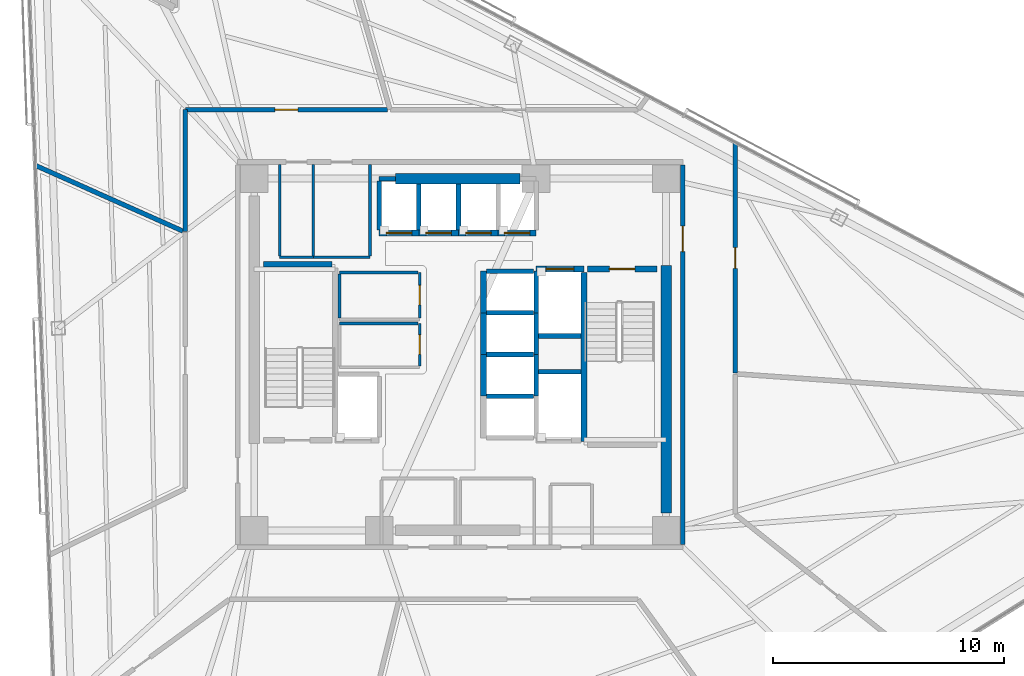
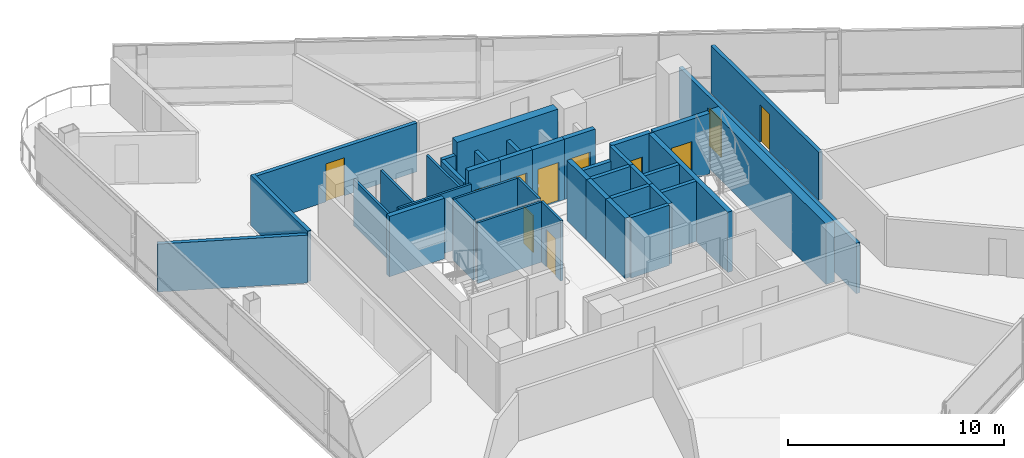
# One storey, part 13 of 21: 41 walls, 11 doors, 11 openings.
"""IFC4 building model written with IfcOpenShell, lengths in metres."""

from ifc_helpers import new_model, si_unit, direction, frame, frame_2d, origin, place, context, subcontext, project, spatial, rectangle, extrude, material, layer, layer_set, type_object, element, fill, save


model = new_model("IFC4")

# Units and contexts
model_context = context("Model", 3, precision=1e-05, world=origin(), true_north=direction((0.0, 1.0)))
body_context = subcontext(model_context, "Body", "Model", "MODEL_VIEW")
ifc_project = project(units=[si_unit("LENGTHUNIT", "METRE"), si_unit("AREAUNIT", "SQUARE_METRE"), si_unit("VOLUMEUNIT", "CUBIC_METRE"), si_unit("PLANEANGLEUNIT", "RADIAN"), si_unit("MASSUNIT", "GRAM", prefix="KILO")], contexts=[model_context])

# Site, building, storey
site_placement = place(None, origin())
site = spatial("IfcSite", under=ifc_project, at=site_placement, CompositionType="ELEMENT")
building_placement = place(site_placement, origin())
building = spatial("IfcBuilding", under=site, at=building_placement, Name="Tharavind Bronze Gate", CompositionType="ELEMENT")
storey_placement = place(building_placement, frame((0.0, 0.0, 156.800048828125)))
storey = spatial("IfcBuildingStorey", under=building, at=storey_placement, Name="L40", CompositionType="ELEMENT", Elevation=156.800048828125)

# Wall, opening, door
ifc_material_1 = material(Name="Aerated Concrete Block", Category="concrete")
ifc_layer_1 = layer(ifc_material_1, 0.199951171875)
ifc_layer_set_1 = layer_set([ifc_layer_1], Name="Aerated Concrete Block")
wall_type_1 = type_object("IfcWallType", Name="FIRE RATED PARTITION 200", PredefinedType="PARTITIONING", material=ifc_layer_set_1)
wall_1_placement = place(storey_placement, frame((9.6201171875, -8.199951171875, 0.0), z_axis=(0.0, 0.0, 1.0), x_axis=(0.0, 1.0, 0.0)))
wall_1 = element("IfcWall", 1, at=wall_1_placement, inside=storey, type_object=wall_type_1, Name="L40 east core corridor wall", PredefinedType="PARTITIONING", context=body_context, shape_type="SweptSolid", body=[
    extrude(rectangle(XDim=16.39990234375, YDim=0.199951171875, at=frame_2d((8.199951171875, 0.0))), origin(), (0.0, 0.0, 1.0), 2.85498046875),
])
opening_1_placement = place(wall_1_placement, frame((12.64990234375, 0.0, 0.0)))
opening_1 = element("IfcOpeningElement", 2, at=opening_1_placement, cuts=wall_1, Name="Opening ID01", PredefinedType="OPENING", context=body_context, shape_type="SweptSolid", body=[
    extrude(rectangle(XDim=1.10009765625, YDim=2.14990234375, at=frame_2d((0.550048828125, 1.074951171875))), frame((0.0, 0.11009765625, 0.0), z_axis=(0.0, -1.0, 0.0), x_axis=(1.0, 0.0, 0.0)), (0.0, 0.0, 1.0), 0.219951171875),
])
ifc_material_2 = material(Name="Fire-Rated Steel", Category="steel")
door_type_1 = type_object("IfcDoorType", Name="STAIR CORE FIRE DOOR 1100X2150", OperationType="SINGLE_SWING_LEFT", PredefinedType="DOOR", material=ifc_material_2)
door_1_placement = place(opening_1_placement, frame((1.10009765625, 0.0, 0.0), z_axis=(0.0, 0.0, 1.0), x_axis=(-1.0, 0.0, 0.0)))
door_1 = element("IfcDoor", 3, at=door_1_placement, inside=storey, type_object=door_type_1, Name="L40 north east stair lobby fire door", OperationType="SINGLE_SWING_LEFT", OverallHeight=2.14990234375, OverallWidth=1.10009765625, PredefinedType="DOOR", context=body_context, shape_type="SweptSolid", body=[
    extrude(rectangle(XDim=1.10009765625, YDim=2.14990234375, at=frame_2d((0.550048828125, 1.074951171875))), frame((0.0, 0.02490234375, 0.0), z_axis=(0.0, -1.0, 0.0), x_axis=(1.0, 0.0, 0.0)), (0.0, 0.0, 1.0), 0.050048828125),
])
fill(opening_1, door_1)

wall_2_placement = place(storey_placement, frame((-3.14306640625, 10.580078125, 0.0), z_axis=(0.0, 0.0, 1.0), x_axis=(-1.0, 0.0, 0.0)))
wall_2 = element("IfcWall", 4, at=wall_2_placement, inside=storey, type_object=wall_type_1, Name="L40 Bioinformatics Open Office partition", PredefinedType="PARTITIONING", context=body_context, shape_type="SweptSolid", body=[
    extrude(rectangle(XDim=8.736328125, YDim=0.199951171875, at=frame_2d((4.3681640625, 0.0))), origin(), (0.0, 0.0, 1.0), 2.7548828125),
])
opening_2_placement = place(wall_2_placement, frame((3.867919921875, 0.0, 0.0)))
opening_2 = element("IfcOpeningElement", 5, at=opening_2_placement, cuts=wall_2, Name="Opening ID04", PredefinedType="OPENING", context=body_context, shape_type="SweptSolid", body=[
    extrude(rectangle(XDim=1.0, YDim=2.14990234375, at=frame_2d((0.5, 1.074951171875))), frame((0.0, 0.11009765625, 0.0), z_axis=(0.0, -1.0, 0.0), x_axis=(1.0, 0.0, 0.0)), (0.0, 0.0, 1.0), 0.219951171875),
])
ifc_material_3 = material(Name="Bronze Framed Acoustic Timber", Category="wood")
door_type_2 = type_object("IfcDoorType", Name="OFFICE TENANCY DOOR 1000X2150", OperationType="SINGLE_SWING_RIGHT", PredefinedType="DOOR", material=ifc_material_3)
door_2_placement = place(opening_2_placement, origin())
door_2 = element("IfcDoor", 6, at=door_2_placement, inside=storey, type_object=door_type_2, Name="L40 Bioinformatics Open Office door", OperationType="SINGLE_SWING_RIGHT", OverallHeight=2.14990234375, OverallWidth=1.0, PredefinedType="DOOR", context=body_context, shape_type="SweptSolid", body=[
    extrude(rectangle(XDim=1.0, YDim=2.14990234375, at=frame_2d((0.5, 1.074951171875))), frame((0.0, 0.02490234375, 0.0), z_axis=(0.0, -1.0, 0.0), x_axis=(1.0, 0.0, 0.0)), (0.0, 0.0, 1.0), 0.050048828125),
])
fill(opening_2, door_2)

# Walls
wall_3_placement = place(storey_placement, frame((-11.8798828125, 10.579345703125, 0.0), z_axis=(0.0, 0.0, 1.0), x_axis=(0.0, -1.0, 0.0)))
element("IfcWall", 7, at=wall_3_placement, inside=storey, type_object=wall_type_1, Name="L40 Bioinformatics Open Office partition", PredefinedType="PARTITIONING", context=body_context, shape_type="SweptSolid", body=[
    extrude(rectangle(XDim=5.25146484375, YDim=0.199951171875, at=frame_2d((2.625732421875, 0.0))), origin(), (0.0, 0.0, 1.0), 2.85498046875),
])
wall_4_placement = place(storey_placement, frame((-11.985107421875, 5.336181640625, 0.0), z_axis=(0.0, 0.0, 1.0), x_axis=(-0.913541116326, 0.406746393693, 0.0)))
element("IfcWall", 8, at=wall_4_placement, inside=storey, type_object=wall_type_1, Name="L40 Bioinformatics Open Office partition", PredefinedType="PARTITIONING", context=body_context, shape_type="SweptSolid", body=[
    extrude(rectangle(XDim=6.966796875, YDim=0.199951171875, at=frame_2d((3.4833984375, 0.0))), origin(), (0.0, 0.0, 1.0), 2.704833984375),
])

# Wall, opening, door
wall_5_placement = place(storey_placement, frame((11.8798828125, -0.807373046875, 0.0), z_axis=(0.0, 0.0, 1.0), x_axis=(0.0, 1.0, 0.0)))
wall_5 = element("IfcWall", 9, at=wall_5_placement, inside=storey, type_object=wall_type_1, Name="L40 Staff Tea Pantry partition", PredefinedType="PARTITIONING", context=body_context, shape_type="SweptSolid", body=[
    extrude(rectangle(XDim=9.963623046875, YDim=0.199951171875, at=frame_2d((4.98193359375, 0.0))), origin(), (0.0, 0.0, 1.0), 2.704833984375),
])
opening_3_placement = place(wall_5_placement, frame((4.531982421875, 0.0, 0.0)))
opening_3 = element("IfcOpeningElement", 10, at=opening_3_placement, cuts=wall_5, Name="Opening ID07", PredefinedType="OPENING", context=body_context, shape_type="SweptSolid", body=[
    extrude(rectangle(XDim=0.89990234375, YDim=2.10009765625, at=frame_2d((0.449951171875, 1.050048828125))), frame((0.0, 0.11009765625, 0.0), z_axis=(0.0, -1.0, 0.0), x_axis=(1.0, 0.0, 0.0)), (0.0, 0.0, 1.0), 0.219951171875),
])
ifc_material_4 = material(Name="Galvanised Fire Steel", Category="steel")
door_type_3 = type_object("IfcDoorType", Name="PLANT AND RISER FIRE DOOR 900X2100", OperationType="SINGLE_SWING_LEFT", PredefinedType="DOOR", material=ifc_material_4)
door_3_placement = place(opening_3_placement, origin())
door_3 = element("IfcDoor", 11, at=door_3_placement, inside=storey, type_object=door_type_3, Name="L40 Staff Tea Pantry door", OperationType="SINGLE_SWING_LEFT", OverallHeight=2.10009765625, OverallWidth=0.89990234375, PredefinedType="DOOR", context=body_context, shape_type="SweptSolid", body=[
    extrude(rectangle(XDim=0.89990234375, YDim=2.10009765625, at=frame_2d((0.449951171875, 1.050048828125))), frame((0.0, 0.02490234375, 0.0), z_axis=(0.0, -1.0, 0.0), x_axis=(1.0, 0.0, 0.0)), (0.0, 0.0, 1.0), 0.050048828125),
])
fill(opening_3, door_3)

ifc_material_5 = material(Name="Metal Stud Gypsum Partition", Category="gypsum")
ifc_layer_2 = layer(ifc_material_5, 0.1201171875)
ifc_layer_set_2 = layer_set([ifc_layer_2], Name="Metal Stud Gypsum Partition")
wall_type_2 = type_object("IfcWallType", Name="INTERIOR PARTITION WALL 120", PredefinedType="PARTITIONING", material=ifc_layer_set_2)
wall_6_placement = place(storey_placement, frame((-1.75, 1.5849609375, 0.0), z_axis=(0.0, 0.0, 1.0), x_axis=(0.0, 1.0, 0.0)))
wall_6 = element("IfcWall", 12, at=wall_6_placement, inside=storey, type_object=wall_type_2, Name="L40 Cleaner Store Room partition 2", PredefinedType="PARTITIONING", context=body_context, shape_type="SweptSolid", body=[
    extrude(rectangle(XDim=1.965087890625, YDim=0.1201171875, at=frame_2d((0.982421875, 0.0))), origin(), (0.0, 0.0, 1.0), 3.409912109375),
])
opening_4_placement = place(wall_6_placement, frame((0.556884765625, 0.0, 0.0)))
opening_4 = element("IfcOpeningElement", 13, at=opening_4_placement, cuts=wall_6, Name="Opening ID06", PredefinedType="OPENING", context=body_context, shape_type="SweptSolid", body=[
    extrude(rectangle(XDim=0.85009765625, YDim=2.10009765625, at=frame_2d((0.425048828125, 1.050048828125))), frame((0.0, 0.07005859375, 0.0), z_axis=(0.0, -1.0, 0.0), x_axis=(1.0, 0.0, 0.0)), (0.0, 0.0, 1.0), 0.1401171875),
])
ifc_material_6 = material(Name="Moisture-Resistant Timber", Category="wood")
door_type_4 = type_object("IfcDoorType", Name="BATHROOM PRIVACY DOOR 850X2100", OperationType="SINGLE_SWING_RIGHT", PredefinedType="DOOR", material=ifc_material_6)
door_4_placement = place(opening_4_placement, frame((0.85009765625, 0.0, 0.0), z_axis=(0.0, 0.0, 1.0), x_axis=(-1.0, 0.0, 0.0)))
door_4 = element("IfcDoor", 14, at=door_4_placement, inside=storey, type_object=door_type_4, Name="L40 Cleaner Store Room door", OperationType="SINGLE_SWING_RIGHT", OverallHeight=2.10009765625, OverallWidth=0.85009765625, PredefinedType="DOOR", context=body_context, shape_type="SweptSolid", body=[
    extrude(rectangle(XDim=0.85009765625, YDim=2.10009765625, at=frame_2d((0.425048828125, 1.050048828125))), frame((0.0, 0.02490234375, 0.0), z_axis=(0.0, -1.0, 0.0), x_axis=(1.0, 0.0, 0.0)), (0.0, 0.0, 1.0), 0.050048828125),
])
fill(opening_4, door_4)

# Walls
wall_7_placement = place(storey_placement, frame((-1.81494140625, 3.550048828125, 0.0), z_axis=(0.0, 0.0, 1.0), x_axis=(-1.0, 0.0, 0.0)))
element("IfcWall", 15, at=wall_7_placement, inside=storey, type_object=wall_type_2, Name="L40 Cleaner Store Room partition 3", PredefinedType="PARTITIONING", context=body_context, shape_type="SweptSolid", body=[
    extrude(rectangle(XDim=3.405029296875, YDim=0.1201171875, at=frame_2d((1.70263671875, 0.0))), origin(), (0.0, 0.0, 1.0), 3.409912109375),
])
wall_8_placement = place(storey_placement, frame((-5.219970703125, 3.485107421875, 0.0), z_axis=(0.0, 0.0, 1.0), x_axis=(0.0, -1.0, 0.0)))
element("IfcWall", 16, at=wall_8_placement, inside=storey, type_object=wall_type_2, Name="L40 Cleaner Store Room partition 4", PredefinedType="PARTITIONING", context=body_context, shape_type="SweptSolid", body=[
    extrude(rectangle(XDim=1.900146484375, YDim=0.1201171875, at=frame_2d((0.9501953125, 0.0))), origin(), (0.0, 0.0, 1.0), 3.409912109375),
])

# Wall, opening, door
wall_9_placement = place(storey_placement, frame((-1.75, -0.485107421875, 0.0), z_axis=(0.0, 0.0, 1.0), x_axis=(0.0, 1.0, 0.0)))
wall_9 = element("IfcWall", 17, at=wall_9_placement, inside=storey, type_object=wall_type_2, Name="L40 Electrical Switch Room partition 2", PredefinedType="PARTITIONING", context=body_context, shape_type="SweptSolid", body=[
    extrude(rectangle(XDim=1.8251953125, YDim=0.1201171875, at=frame_2d((0.91259765625, 0.0))), origin(), (0.0, 0.0, 1.0), 3.409912109375),
])
opening_5_placement = place(wall_9_placement, frame((0.488037109375, 0.0, 0.0)))
opening_5 = element("IfcOpeningElement", 18, at=opening_5_placement, cuts=wall_9, Name="Opening ID06", PredefinedType="OPENING", context=body_context, shape_type="SweptSolid", body=[
    extrude(rectangle(XDim=0.85009765625, YDim=2.10009765625, at=frame_2d((0.425048828125, 1.050048828125))), frame((0.0, 0.07005859375, 0.0), z_axis=(0.0, -1.0, 0.0), x_axis=(1.0, 0.0, 0.0)), (0.0, 0.0, 1.0), 0.1401171875),
])
door_5_placement = place(opening_5_placement, frame((0.85009765625, 0.0, 0.0), z_axis=(0.0, 0.0, 1.0), x_axis=(-1.0, 0.0, 0.0)))
door_5 = element("IfcDoor", 19, at=door_5_placement, inside=storey, type_object=door_type_4, Name="L40 Electrical Switch Room door", OperationType="SINGLE_SWING_RIGHT", OverallHeight=2.10009765625, OverallWidth=0.85009765625, PredefinedType="DOOR", context=body_context, shape_type="SweptSolid", body=[
    extrude(rectangle(XDim=0.85009765625, YDim=2.10009765625, at=frame_2d((0.425048828125, 1.050048828125))), frame((0.0, 0.02490234375, 0.0), z_axis=(0.0, -1.0, 0.0), x_axis=(1.0, 0.0, 0.0)), (0.0, 0.0, 1.0), 0.050048828125),
])
fill(opening_5, door_5)

# Walls
wall_10_placement = place(storey_placement, frame((-1.81494140625, 1.340087890625, 0.0), z_axis=(0.0, 0.0, 1.0), x_axis=(-1.0, 0.0, 0.0)))
element("IfcWall", 20, at=wall_10_placement, inside=storey, type_object=wall_type_2, Name="L40 Electrical Switch Room partition 3", PredefinedType="PARTITIONING", context=body_context, shape_type="SweptSolid", body=[
    extrude(rectangle(XDim=3.405029296875, YDim=0.1201171875, at=frame_2d((1.70263671875, 0.0))), origin(), (0.0, 0.0, 1.0), 3.409912109375),
])
wall_11_placement = place(storey_placement, frame((-7.800048828125, 4.199951171875, 0.0), z_axis=(0.0, 0.0, 1.0), x_axis=(1.0, 0.0, 0.0)))
element("IfcWall", 21, at=wall_11_placement, inside=storey, type_object=wall_type_2, Name="L40 Battery Backup Cupboard partition 1", PredefinedType="PARTITIONING", context=body_context, shape_type="SweptSolid", body=[
    extrude(rectangle(XDim=1.449951171875, YDim=0.1201171875, at=frame_2d((0.72509765625, 0.0))), origin(), (0.0, 0.0, 1.0), 3.409912109375),
])
for number, where, z_axis, x_axis, name in (
    (22, (-6.35009765625, 4.264892578125, 0.0), (0.0, 0.0, 1.0), (0.0, 1.0, 0.0), "L40 Battery Backup Cupboard partition 2"),
    (23, (-7.800048828125, 8.215087890625, 0.0), (0.0, 0.0, 1.0), (0.0, -1.0, 0.0), "L40 Battery Backup Cupboard partition 4"),
):
    element("IfcWall", number, at=place(storey_placement, frame(where, z_axis=z_axis, x_axis=x_axis)), inside=storey, type_object=wall_type_2, Name=name, PredefinedType="PARTITIONING", context=body_context, shape_type="SweptSolid", body=[
        extrude(rectangle(XDim=3.9501953125, YDim=0.1201171875, at=frame_2d((1.97509765625, 0.0))), origin(), (0.0, 0.0, 1.0), 2.60498046875),
    ])
wall_12_placement = place(storey_placement, frame((-6.35009765625, 4.199951171875, 0.0), z_axis=(0.0, 0.0, 1.0), x_axis=(1.0, 0.0, 0.0)))
element("IfcWall", 24, at=wall_12_placement, inside=storey, type_object=wall_type_2, Name="L40 Cleaner Store Room partition 1", PredefinedType="PARTITIONING", context=body_context, shape_type="SweptSolid", body=[
    extrude(rectangle(XDim=2.4501953125, YDim=0.1201171875, at=frame_2d((1.22509765625, 0.0))), origin(), (0.0, 0.0, 1.0), 3.409912109375),
])
wall_13_placement = place(storey_placement, frame((-3.89990234375, 4.264892578125, 0.0), z_axis=(0.0, 0.0, 1.0), x_axis=(0.0, 1.0, 0.0)))
element("IfcWall", 25, at=wall_13_placement, inside=storey, type_object=wall_type_2, Name="L40 Cleaner Store Room partition 2", PredefinedType="PARTITIONING", context=body_context, shape_type="SweptSolid", body=[
    extrude(rectangle(XDim=3.9501953125, YDim=0.1201171875, at=frame_2d((1.97509765625, 0.0))), origin(), (0.0, 0.0, 1.0), 2.60498046875),
])
ifc_material_7 = material(Name="Concrete C50/60", Category="concrete")
ifc_layer_3 = layer(ifc_material_7, 0.25)
ifc_layer_set_3 = layer_set([ifc_layer_3], Name="Concrete C50/60")
wall_type_3 = type_object("IfcWallType", Name="RC CORE SHEAR WALL 250", PredefinedType="SHEAR", material=ifc_layer_set_3)
wall_14_placement = place(storey_placement, frame((-8.5, 3.89990234375, 0.0), z_axis=(0.0, 0.0, 1.0), x_axis=(1.0, 0.0, 0.0)))
element("IfcWall", 26, at=wall_14_placement, inside=storey, type_object=wall_type_3, Name="L40 ST1 shaft north wall", PredefinedType="SHEAR", context=body_context, shape_type="SweptSolid", body=[
    extrude(rectangle(XDim=2.949951171875, YDim=0.25, at=frame_2d((1.47509765625, 0.0))), origin(), (0.0, 0.0, 1.0), 3.409912109375),
])
wall_15_placement = place(storey_placement, frame((5.35009765625, -3.75, 0.0), z_axis=(0.0, 0.0, 1.0), x_axis=(0.0, 1.0, 0.0)))
element("IfcWall", 27, at=wall_15_placement, inside=storey, type_object=wall_type_3, Name="L40 ST2 shaft west wall", PredefinedType="SHEAR", context=body_context, shape_type="SweptSolid", body=[
    extrude(rectangle(XDim=7.300048828125, YDim=0.25, at=frame_2d((3.64990234375, 0.0))), origin(), (0.0, 0.0, 1.0), 3.409912109375),
])

# Wall, opening, door
wall_16_placement = place(storey_placement, frame((5.5, 3.699951171875, 0.0), z_axis=(0.0, 0.0, 1.0), x_axis=(1.0, 0.0, 0.0)))
wall_16 = element("IfcWall", 28, at=wall_16_placement, inside=storey, type_object=wall_type_3, Name="L40 ST2 shaft north wall", PredefinedType="SHEAR", context=body_context, shape_type="SweptSolid", body=[
    extrude(rectangle(XDim=3.0, YDim=0.25, at=frame_2d((1.5, 0.0))), origin(), (0.0, 0.0, 1.0), 3.409912109375),
])
opening_6_placement = place(wall_16_placement, frame((0.949951171875, 0.0, 0.0)))
opening_6 = element("IfcOpeningElement", 29, at=opening_6_placement, cuts=wall_16, Name="Opening ID01", PredefinedType="OPENING", context=body_context, shape_type="SweptSolid", body=[
    extrude(rectangle(XDim=1.10009765625, YDim=2.14990234375, at=frame_2d((0.550048828125, 1.074951171875))), frame((0.0, 0.135, 0.0), z_axis=(0.0, -1.0, 0.0), x_axis=(1.0, 0.0, 0.0)), (0.0, 0.0, 1.0), 0.27),
])
door_6_placement = place(opening_6_placement, frame((1.10009765625, 0.0, 0.0), z_axis=(0.0, 0.0, 1.0), x_axis=(-1.0, 0.0, 0.0)))
door_6 = element("IfcDoor", 30, at=door_6_placement, inside=storey, type_object=door_type_1, Name="L40 exit stair ST2 fire door", OperationType="SINGLE_SWING_LEFT", OverallHeight=2.14990234375, OverallWidth=1.10009765625, PredefinedType="DOOR", context=body_context, shape_type="SweptSolid", body=[
    extrude(rectangle(XDim=1.10009765625, YDim=2.14990234375, at=frame_2d((0.550048828125, 1.074951171875))), frame((0.0, 0.02490234375, 0.0), z_axis=(0.0, -1.0, 0.0), x_axis=(1.0, 0.0, 0.0)), (0.0, 0.0, 1.0), 0.050048828125),
])
fill(opening_6, door_6)

wall_17_placement = place(storey_placement, frame((-3.5, 5.25, 0.0), z_axis=(0.0, 0.0, 1.0), x_axis=(1.0, 0.0, 0.0)))
wall_17 = element("IfcWall", 31, at=wall_17_placement, inside=storey, type_object=wall_type_3, Name="L40 lift PL5 shaft front wall", PredefinedType="SHEAR", context=body_context, shape_type="SweptSolid", body=[
    extrude(rectangle(XDim=1.71240234375, YDim=0.25, at=frame_2d((0.856201171875, 0.0))), origin(), (0.0, 0.0, 1.0), 3.409912109375),
])
opening_7_placement = place(wall_17_placement, frame((0.305908203125, 0.0, 0.0)))
opening_7 = element("IfcOpeningElement", 32, at=opening_7_placement, cuts=wall_17, Name="Opening LD01", PredefinedType="OPENING", context=body_context, shape_type="SweptSolid", body=[
    extrude(rectangle(XDim=1.10009765625, YDim=2.199951171875, at=frame_2d((0.550048828125, 1.10009765625))), frame((0.0, 0.135, 0.0), z_axis=(0.0, -1.0, 0.0), x_axis=(1.0, 0.0, 0.0)), (0.0, 0.0, 1.0), 0.27),
])
ifc_material_8 = material(Name="Brushed Bronze Stainless Steel", Category="steel")
door_type_5 = type_object("IfcDoorType", Name="LIFT LANDING SLIDING DOOR 1100X2200", OperationType="SLIDING_TO_LEFT", PredefinedType="DOOR", material=ifc_material_8)
door_7_placement = place(opening_7_placement, origin())
door_7 = element("IfcDoor", 33, at=door_7_placement, inside=storey, type_object=door_type_5, Name="L40 lift PL5 sliding landing door", OperationType="SLIDING_TO_LEFT", OverallHeight=2.199951171875, OverallWidth=1.10009765625, PredefinedType="DOOR", context=body_context, shape_type="SweptSolid", body=[
    extrude(rectangle(XDim=1.10009765625, YDim=2.199951171875, at=frame_2d((0.550048828125, 1.10009765625))), frame((0.0, 0.02490234375, 0.0), z_axis=(0.0, -1.0, 0.0), x_axis=(1.0, 0.0, 0.0)), (0.0, 0.0, 1.0), 0.050048828125),
])
fill(opening_7, door_7)

wall_18_placement = place(storey_placement, frame((-1.78759765625, 5.25, 0.0), z_axis=(0.0, 0.0, 1.0), x_axis=(1.0, 0.0, 0.0)))
wall_18 = element("IfcWall", 34, at=wall_18_placement, inside=storey, type_object=wall_type_3, Name="L40 lift PL6 shaft front wall", PredefinedType="SHEAR", context=body_context, shape_type="SweptSolid", body=[
    extrude(rectangle(XDim=1.712646484375, YDim=0.25, at=frame_2d((0.8564453125, 0.0))), origin(), (0.0, 0.0, 1.0), 3.409912109375),
])
opening_8_placement = place(wall_18_placement, frame((0.305908203125, 0.0, 0.0)))
opening_8 = element("IfcOpeningElement", 35, at=opening_8_placement, cuts=wall_18, Name="Opening LD01", PredefinedType="OPENING", context=body_context, shape_type="SweptSolid", body=[
    extrude(rectangle(XDim=1.10009765625, YDim=2.199951171875, at=frame_2d((0.550048828125, 1.10009765625))), frame((0.0, 0.135, 0.0), z_axis=(0.0, -1.0, 0.0), x_axis=(1.0, 0.0, 0.0)), (0.0, 0.0, 1.0), 0.27),
])
door_8_placement = place(opening_8_placement, origin())
door_8 = element("IfcDoor", 36, at=door_8_placement, inside=storey, type_object=door_type_5, Name="L40 lift PL6 sliding landing door", OperationType="SLIDING_TO_LEFT", OverallHeight=2.199951171875, OverallWidth=1.10009765625, PredefinedType="DOOR", context=body_context, shape_type="SweptSolid", body=[
    extrude(rectangle(XDim=1.10009765625, YDim=2.199951171875, at=frame_2d((0.550048828125, 1.10009765625))), frame((0.0, 0.02490234375, 0.0), z_axis=(0.0, -1.0, 0.0), x_axis=(1.0, 0.0, 0.0)), (0.0, 0.0, 1.0), 0.050048828125),
])
fill(opening_8, door_8)

wall_19_placement = place(storey_placement, frame((-0.074951171875, 5.25, 0.0), z_axis=(0.0, 0.0, 1.0), x_axis=(1.0, 0.0, 0.0)))
wall_19 = element("IfcWall", 37, at=wall_19_placement, inside=storey, type_object=wall_type_3, Name="L40 lift PL7 shaft front wall", PredefinedType="SHEAR", context=body_context, shape_type="SweptSolid", body=[
    extrude(rectangle(XDim=1.71240234375, YDim=0.25, at=frame_2d((0.856201171875, 0.0))), origin(), (0.0, 0.0, 1.0), 3.409912109375),
])
opening_9_placement = place(wall_19_placement, frame((0.305908203125, 0.0, 0.0)))
opening_9 = element("IfcOpeningElement", 38, at=opening_9_placement, cuts=wall_19, Name="Opening LD01", PredefinedType="OPENING", context=body_context, shape_type="SweptSolid", body=[
    extrude(rectangle(XDim=1.10009765625, YDim=2.199951171875, at=frame_2d((0.550048828125, 1.10009765625))), frame((0.0, 0.135, 0.0), z_axis=(0.0, -1.0, 0.0), x_axis=(1.0, 0.0, 0.0)), (0.0, 0.0, 1.0), 0.27),
])
door_9_placement = place(opening_9_placement, origin())
door_9 = element("IfcDoor", 39, at=door_9_placement, inside=storey, type_object=door_type_5, Name="L40 lift PL7 sliding landing door", OperationType="SLIDING_TO_LEFT", OverallHeight=2.199951171875, OverallWidth=1.10009765625, PredefinedType="DOOR", context=body_context, shape_type="SweptSolid", body=[
    extrude(rectangle(XDim=1.10009765625, YDim=2.199951171875, at=frame_2d((0.550048828125, 1.10009765625))), frame((0.0, 0.02490234375, 0.0), z_axis=(0.0, -1.0, 0.0), x_axis=(1.0, 0.0, 0.0)), (0.0, 0.0, 1.0), 0.050048828125),
])
fill(opening_9, door_9)

wall_20_placement = place(storey_placement, frame((1.637451171875, 5.25, 0.0), z_axis=(0.0, 0.0, 1.0), x_axis=(1.0, 0.0, 0.0)))
wall_20 = element("IfcWall", 40, at=wall_20_placement, inside=storey, type_object=wall_type_3, Name="L40 lift PL8 shaft front wall", PredefinedType="SHEAR", context=body_context, shape_type="SweptSolid", body=[
    extrude(rectangle(XDim=1.642578125, YDim=0.25, at=frame_2d((0.8212890625, 0.0))), origin(), (0.0, 0.0, 1.0), 3.409912109375),
])
opening_10_placement = place(wall_20_placement, frame((0.27099609375, 0.0, 0.0)))
opening_10 = element("IfcOpeningElement", 41, at=opening_10_placement, cuts=wall_20, Name="Opening LD01", PredefinedType="OPENING", context=body_context, shape_type="SweptSolid", body=[
    extrude(rectangle(XDim=1.10009765625, YDim=2.199951171875, at=frame_2d((0.550048828125, 1.10009765625))), frame((0.0, 0.135, 0.0), z_axis=(0.0, -1.0, 0.0), x_axis=(1.0, 0.0, 0.0)), (0.0, 0.0, 1.0), 0.27),
])
door_10_placement = place(opening_10_placement, origin())
door_10 = element("IfcDoor", 42, at=door_10_placement, inside=storey, type_object=door_type_5, Name="L40 lift PL8 sliding landing door", OperationType="SLIDING_TO_LEFT", OverallHeight=2.199951171875, OverallWidth=1.10009765625, PredefinedType="DOOR", context=body_context, shape_type="SweptSolid", body=[
    extrude(rectangle(XDim=1.10009765625, YDim=2.199951171875, at=frame_2d((0.550048828125, 1.10009765625))), frame((0.0, 0.02490234375, 0.0), z_axis=(0.0, -1.0, 0.0), x_axis=(1.0, 0.0, 0.0)), (0.0, 0.0, 1.0), 0.050048828125),
])
fill(opening_10, door_10)

# Walls
for number, where, z_axis, x_axis, name in (
    (43, (1.0, -1.800048828125, 0.0), (0.0, 0.0, 1.0), (0.0, 1.0, 0.0), "L40 lift PL10 shaft front wall"),
    (44, (1.0, 0.0, 0.0), (0.0, 0.0, 1.0), (0.0, 1.0, 0.0), "L40 lift PL11 shaft front wall"),
    (45, (1.0, 1.800048828125, 0.0), (0.0, 0.0, 1.0), (0.0, 1.0, 0.0), "L40 lift PL12 shaft front wall"),
):
    element("IfcWall", number, at=place(storey_placement, frame(where, z_axis=z_axis, x_axis=x_axis)), inside=storey, type_object=wall_type_3, Name=name, PredefinedType="SHEAR", context=body_context, shape_type="SweptSolid", body=[
        extrude(rectangle(XDim=1.800048828125, YDim=0.25, at=frame_2d((0.89990234375, 0.0))), origin(), (0.0, 0.0, 1.0), 3.409912109375),
    ])

# Wall, opening, door
wall_21_placement = place(storey_placement, frame((3.280029296875, 3.699951171875, 0.0), z_axis=(0.0, 0.0, 1.0), x_axis=(1.0, 0.0, 0.0)))
wall_21 = element("IfcWall", 46, at=wall_21_placement, inside=storey, type_object=wall_type_3, Name="L40 lift FFL2 shaft front wall", PredefinedType="SHEAR", context=body_context, shape_type="SweptSolid", body=[
    extrude(rectangle(XDim=2.070068359375, YDim=0.25, at=frame_2d((1.03515625, 0.0))), origin(), (0.0, 0.0, 1.0), 3.409912109375),
])
opening_11_placement = place(wall_21_placement, frame((0.43505859375, 0.0, 0.0)))
opening_11 = element("IfcOpeningElement", 47, at=opening_11_placement, cuts=wall_21, Name="Opening LD02", PredefinedType="OPENING", context=body_context, shape_type="SweptSolid", body=[
    extrude(rectangle(XDim=1.199951171875, YDim=2.199951171875, at=frame_2d((0.60009765625, 1.10009765625))), frame((0.0, 0.135, 0.0), z_axis=(0.0, -1.0, 0.0), x_axis=(1.0, 0.0, 0.0)), (0.0, 0.0, 1.0), 0.27),
])
ifc_material_9 = material(Name="Brushed Stainless Steel", Category="steel")
door_type_6 = type_object("IfcDoorType", Name="FIREFIGHTING LIFT LANDING DOOR 1200X2200", OperationType="SLIDING_TO_RIGHT", PredefinedType="DOOR", material=ifc_material_9)
door_11_placement = place(opening_11_placement, origin())
door_11 = element("IfcDoor", 48, at=door_11_placement, inside=storey, type_object=door_type_6, Name="L40 lift FFL2 sliding landing door", OperationType="SLIDING_TO_RIGHT", OverallHeight=2.199951171875, OverallWidth=1.199951171875, PredefinedType="DOOR", context=body_context, shape_type="SweptSolid", body=[
    extrude(rectangle(XDim=1.199951171875, YDim=2.199951171875, at=frame_2d((0.60009765625, 1.10009765625))), frame((0.0, 0.02490234375, 0.0), z_axis=(0.0, -1.0, 0.0), x_axis=(1.0, 0.0, 0.0)), (0.0, 0.0, 1.0), 0.050048828125),
])
fill(opening_11, door_11)

# Walls
ifc_material_10 = material(Name="Concrete C60/75", Category="concrete")
ifc_layer_4 = layer(ifc_material_10, 0.449951171875)
ifc_layer_set_4 = layer_set([ifc_layer_4], Name="Concrete C60/75")
wall_type_4 = type_object("IfcWallType", Name="RC CORE SHEAR WALL 450", PredefinedType="SHEAR", material=ifc_layer_set_4)
wall_22_placement = place(storey_placement, frame((-2.800048828125, 7.60009765625, 0.0), z_axis=(0.0, 0.0, 1.0), x_axis=(1.0, 0.0, 0.0)))
element("IfcWall", 49, at=wall_22_placement, inside=storey, type_object=wall_type_4, Name="L40 north core shear wall", PredefinedType="SHEAR", context=body_context, shape_type="SweptSolid", body=[
    extrude(rectangle(XDim=5.380126953125, YDim=0.449951171875, at=frame_2d((2.68994140625, 0.0))), origin(), (0.0, 0.0, 1.0), 3.409912109375),
])
wall_23_placement = place(storey_placement, frame((8.89990234375, -6.85009765625, 0.0), z_axis=(0.0, 0.0, 1.0), x_axis=(0.0, 1.0, 0.0)))
element("IfcWall", 50, at=wall_23_placement, inside=storey, type_object=wall_type_4, Name="L40 east core shear wall", PredefinedType="SHEAR", context=body_context, shape_type="SweptSolid", body=[
    extrude(rectangle(XDim=10.7001953125, YDim=0.449951171875, at=frame_2d((5.35009765625, 0.0))), origin(), (0.0, 0.0, 1.0), 3.409912109375),
])
ifc_material_11 = material(Name="Concrete C40/50", Category="concrete")
ifc_layer_5 = layer(ifc_material_11, 0.199951171875)
ifc_layer_set_5 = layer_set([ifc_layer_5], Name="Concrete C40/50")
wall_type_5 = type_object("IfcWallType", Name="SHAFT ENCLOSURE WALL 200", PredefinedType="PARTITIONING", material=ifc_layer_set_5)
wall_24_placement = place(storey_placement, frame((-3.5, 7.60009765625, 0.0), z_axis=(0.0, 0.0, 1.0), x_axis=(1.0, 0.0, 0.0)))
element("IfcWall", 51, at=wall_24_placement, inside=storey, type_object=wall_type_5, Name="L40 lift PL5 shaft N enclosure wall", PredefinedType="PARTITIONING", context=body_context, shape_type="SweptSolid", body=[
    extrude(rectangle(XDim=0.699951171875, YDim=0.199951171875, at=frame_2d((0.35009765625, 0.0))), origin(), (0.0, 0.0, 1.0), 2.60498046875),
])
wall_25_placement = place(storey_placement, frame((-3.5, 5.3798828125, 0.0), z_axis=(0.0, 0.0, 1.0), x_axis=(0.0, 1.0, 0.0)))
element("IfcWall", 52, at=wall_25_placement, inside=storey, type_object=wall_type_5, Name="L40 lift PL5 shaft W enclosure wall", PredefinedType="PARTITIONING", context=body_context, shape_type="SweptSolid", body=[
    extrude(rectangle(XDim=2.115234375, YDim=0.199951171875, at=frame_2d((1.0576171875, 0.0))), origin(), (0.0, 0.0, 1.0), 2.60498046875),
])
for number, where, z_axis, x_axis, name in (
    (53, (-1.78759765625, 5.3798828125, 0.0), (0.0, 0.0, 1.0), (0.0, 1.0, 0.0), "L40 lift PL5 shaft E enclosure wall"),
    (54, (-0.074951171875, 5.3798828125, 0.0), (0.0, 0.0, 1.0), (0.0, 1.0, 0.0), "L40 lift PL6 shaft E enclosure wall"),
):
    element("IfcWall", number, at=place(storey_placement, frame(where, z_axis=z_axis, x_axis=x_axis)), inside=storey, type_object=wall_type_5, Name=name, PredefinedType="PARTITIONING", context=body_context, shape_type="SweptSolid", body=[
        extrude(rectangle(XDim=1.990234375, YDim=0.199951171875, at=frame_2d((0.9951171875, 0.0))), origin(), (0.0, 0.0, 1.0), 2.60498046875),
    ])
wall_26_placement = place(storey_placement, frame((1.1298828125, -1.800048828125, 0.0), z_axis=(0.0, 0.0, 1.0), x_axis=(1.0, 0.0, 0.0)))
element("IfcWall", 55, at=wall_26_placement, inside=storey, type_object=wall_type_5, Name="L40 lift PL9 shaft N enclosure wall", PredefinedType="PARTITIONING", context=body_context, shape_type="SweptSolid", body=[
    extrude(rectangle(XDim=2.045166015625, YDim=0.199951171875, at=frame_2d((1.0224609375, 0.0))), origin(), (0.0, 0.0, 1.0), 3.409912109375),
])
wall_27_placement = place(storey_placement, frame((3.280029296875, -1.800048828125, 0.0), z_axis=(0.0, 0.0, 1.0), x_axis=(0.0, 1.0, 0.0)))
element("IfcWall", 56, at=wall_27_placement, inside=storey, type_object=wall_type_5, Name="L40 lift PL10 shaft E enclosure wall", PredefinedType="PARTITIONING", context=body_context, shape_type="SweptSolid", body=[
    extrude(rectangle(XDim=1.800048828125, YDim=0.199951171875, at=frame_2d((0.89990234375, 0.0))), origin(), (0.0, 0.0, 1.0), 3.409912109375),
])
wall_28_placement = place(storey_placement, frame((1.1298828125, 0.0, 0.0), z_axis=(0.0, 0.0, 1.0), x_axis=(1.0, 0.0, 0.0)))
element("IfcWall", 57, at=wall_28_placement, inside=storey, type_object=wall_type_5, Name="L40 lift PL10 shaft N enclosure wall", PredefinedType="PARTITIONING", context=body_context, shape_type="SweptSolid", body=[
    extrude(rectangle(XDim=2.045166015625, YDim=0.199951171875, at=frame_2d((1.0224609375, 0.0))), origin(), (0.0, 0.0, 1.0), 3.409912109375),
])
wall_29_placement = place(storey_placement, frame((3.280029296875, 0.0, 0.0), z_axis=(0.0, 0.0, 1.0), x_axis=(0.0, 1.0, 0.0)))
element("IfcWall", 58, at=wall_29_placement, inside=storey, type_object=wall_type_5, Name="L40 lift PL11 shaft E enclosure wall", PredefinedType="PARTITIONING", context=body_context, shape_type="SweptSolid", body=[
    extrude(rectangle(XDim=1.800048828125, YDim=0.199951171875, at=frame_2d((0.89990234375, 0.0))), origin(), (0.0, 0.0, 1.0), 3.409912109375),
])
wall_30_placement = place(storey_placement, frame((1.1298828125, 1.800048828125, 0.0), z_axis=(0.0, 0.0, 1.0), x_axis=(1.0, 0.0, 0.0)))
element("IfcWall", 59, at=wall_30_placement, inside=storey, type_object=wall_type_5, Name="L40 lift PL11 shaft N enclosure wall", PredefinedType="PARTITIONING", context=body_context, shape_type="SweptSolid", body=[
    extrude(rectangle(XDim=2.045166015625, YDim=0.199951171875, at=frame_2d((1.0224609375, 0.0))), origin(), (0.0, 0.0, 1.0), 3.409912109375),
])
wall_31_placement = place(storey_placement, frame((3.280029296875, 1.800048828125, 0.0), z_axis=(0.0, 0.0, 1.0), x_axis=(0.0, 1.0, 0.0)))
element("IfcWall", 60, at=wall_31_placement, inside=storey, type_object=wall_type_5, Name="L40 lift PL12 shaft E enclosure wall", PredefinedType="PARTITIONING", context=body_context, shape_type="SweptSolid", body=[
    extrude(rectangle(XDim=1.800048828125, YDim=0.199951171875, at=frame_2d((0.89990234375, 0.0))), origin(), (0.0, 0.0, 1.0), 3.409912109375),
])
wall_32_placement = place(storey_placement, frame((1.1298828125, 3.60009765625, 0.0), z_axis=(0.0, 0.0, 1.0), x_axis=(1.0, 0.0, 0.0)))
element("IfcWall", 61, at=wall_32_placement, inside=storey, type_object=wall_type_5, Name="L40 lift PL12 shaft N enclosure wall", PredefinedType="PARTITIONING", context=body_context, shape_type="SweptSolid", body=[
    extrude(rectangle(XDim=2.045166015625, YDim=0.199951171875, at=frame_2d((1.0224609375, 0.0))), origin(), (0.0, 0.0, 1.0), 2.60498046875),
])
for number, where, z_axis, x_axis, name in (
    (62, (3.385009765625, 0.800048828125, 0.0), (0.0, 0.0, 1.0), (1.0, 0.0, 0.0), "L40 lift FFL2 shaft S enclosure wall"),
    (63, (3.385009765625, -0.75, 0.0), (0.0, 0.0, 1.0), (1.0, 0.0, 0.0), "L40 lift SVL1 shaft N enclosure wall"),
):
    element("IfcWall", number, at=place(storey_placement, frame(where, z_axis=z_axis, x_axis=x_axis)), inside=storey, type_object=wall_type_5, Name=name, PredefinedType="PARTITIONING", context=body_context, shape_type="SweptSolid", body=[
        extrude(rectangle(XDim=1.8349609375, YDim=0.199951171875, at=frame_2d((0.91748046875, 0.0))), origin(), (0.0, 0.0, 1.0), 3.409912109375),
    ])

save(model, "model.ifc")
